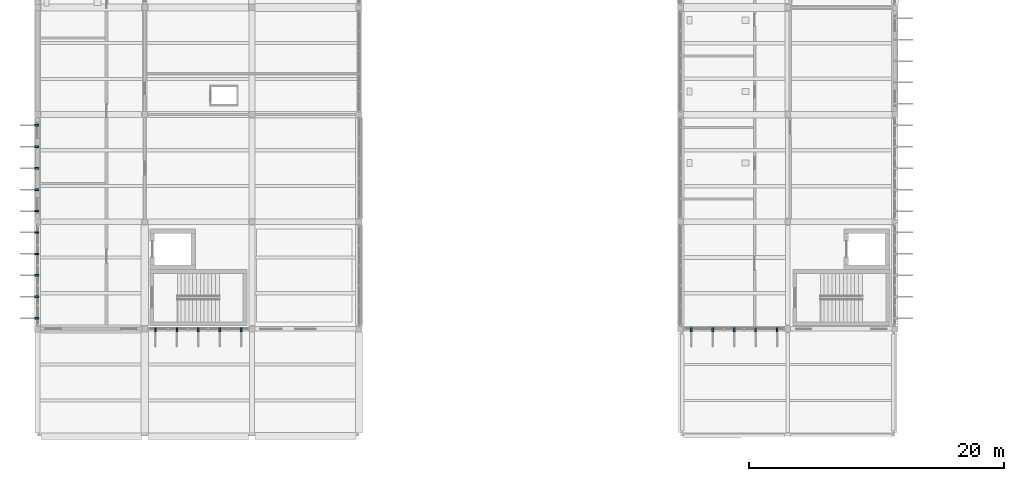
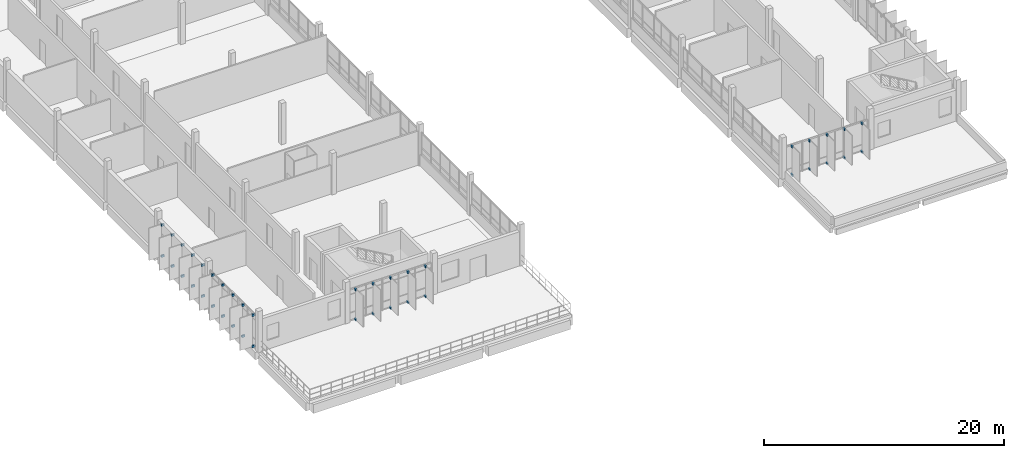
# One storey, part 56 of 62: 40 discrete accessories.
"""IFC4 building model written with IfcOpenShell, lengths in metres."""

from ifc_helpers import new_model, si_unit, direction, frame, origin, origin_2d, place, context, subcontext, project, spatial, rectangle, extrude, material, type_object, element, save


model = new_model("IFC4")

# Units and contexts
model_context = context("Model", 3, precision=1e-05, world=origin(), true_north=direction((0.0, 1.0)))
body_context = subcontext(model_context, "Body", "Model", "MODEL_VIEW")
ifc_project = project(units=[si_unit("LENGTHUNIT", "METRE"), si_unit("AREAUNIT", "SQUARE_METRE"), si_unit("VOLUMEUNIT", "CUBIC_METRE"), si_unit("PLANEANGLEUNIT", "RADIAN"), si_unit("MASSUNIT", "GRAM", prefix="KILO")], contexts=[model_context])

# Site, building, storey
site_placement = place(None, origin())
site = spatial("IfcSite", under=ifc_project, at=site_placement, CompositionType="ELEMENT")
building_placement = place(site_placement, origin())
building = spatial("IfcBuilding", under=site, at=building_placement, Name="Vireocrest Preparatory School", CompositionType="ELEMENT")
storey_placement = place(building_placement, frame((0.0, 0.0, 17.39990234375)))
storey = spatial("IfcBuildingStorey", under=building, at=storey_placement, Name="L04", CompositionType="ELEMENT", Elevation=17.39990234375)

# Discrete accessories
ifc_material = material(Name="Structural steel ASTM A572 Grade 50", Category="steel")
discrete_accessory_type = type_object("IfcDiscreteAccessoryType", Name="Slab-Edge Steel Outrigger Fin Bracket", PredefinedType="BRACKET", material=ifc_material)
for number, where, z_axis, x_axis, name in (
    (1, (41.929931640625, 44.639892578125, -0.08984375), (0.0, 0.0, 1.0), (0.0, 1.0, 0.0), "Solar Fin Outrigger Bracket BK1 L04-53-1-BOT"),
    (2, (41.929931640625, 44.639892578125, 3.0703125), (0.0, 0.0, 1.0), (0.0, 1.0, 0.0), "Solar Fin Outrigger Bracket BK1 L04-53-1-TOP"),
    (3, (41.929931640625, 46.320068359375, -0.08984375), (0.0, 0.0, 1.0), (0.0, 1.0, 0.0), "Solar Fin Outrigger Bracket BK1 L04-53-2-BOT"),
    (4, (41.929931640625, 46.320068359375, 3.0703125), (0.0, 0.0, 1.0), (0.0, 1.0, 0.0), "Solar Fin Outrigger Bracket BK1 L04-53-2-TOP"),
    (5, (41.929931640625, 48.0, -0.08984375), (0.0, 0.0, 1.0), (0.0, 1.0, 0.0), "Solar Fin Outrigger Bracket BK1 L04-53-3-BOT"),
    (6, (41.929931640625, 48.0, 3.0703125), (0.0, 0.0, 1.0), (0.0, 1.0, 0.0), "Solar Fin Outrigger Bracket BK1 L04-53-3-TOP"),
    (7, (41.929931640625, 49.679931640625, -0.08984375), (0.0, 0.0, 1.0), (0.0, 1.0, 0.0), "Solar Fin Outrigger Bracket BK1 L04-53-4-BOT"),
    (8, (41.929931640625, 49.679931640625, 3.0703125), (0.0, 0.0, 1.0), (0.0, 1.0, 0.0), "Solar Fin Outrigger Bracket BK1 L04-53-4-TOP"),
    (9, (41.929931640625, 51.360107421875, -0.08984375), (0.0, 0.0, 1.0), (0.0, 1.0, 0.0), "Solar Fin Outrigger Bracket BK1 L04-53-5-BOT"),
    (10, (41.929931640625, 51.360107421875, 3.0703125), (0.0, 0.0, 1.0), (0.0, 1.0, 0.0), "Solar Fin Outrigger Bracket BK1 L04-53-5-TOP"),
    (11, (41.929931640625, 53.0400390625, -0.08984375), (0.0, 0.0, 1.0), (0.0, 1.0, 0.0), "Solar Fin Outrigger Bracket BK1 L04-54-1-BOT"),
    (12, (41.929931640625, 53.0400390625, 3.0703125), (0.0, 0.0, 1.0), (0.0, 1.0, 0.0), "Solar Fin Outrigger Bracket BK1 L04-54-1-TOP"),
    (13, (41.929931640625, 54.719970703125, -0.08984375), (0.0, 0.0, 1.0), (0.0, 1.0, 0.0), "Solar Fin Outrigger Bracket BK1 L04-54-2-BOT"),
    (14, (41.929931640625, 54.719970703125, 3.0703125), (0.0, 0.0, 1.0), (0.0, 1.0, 0.0), "Solar Fin Outrigger Bracket BK1 L04-54-2-TOP"),
    (15, (41.929931640625, 56.39990234375, -0.08984375), (0.0, 0.0, 1.0), (0.0, 1.0, 0.0), "Solar Fin Outrigger Bracket BK1 L04-54-3-BOT"),
    (16, (41.929931640625, 56.39990234375, 3.0703125), (0.0, 0.0, 1.0), (0.0, 1.0, 0.0), "Solar Fin Outrigger Bracket BK1 L04-54-3-TOP"),
    (17, (41.929931640625, 58.080078125, -0.08984375), (0.0, 0.0, 1.0), (0.0, 1.0, 0.0), "Solar Fin Outrigger Bracket BK1 L04-54-4-BOT"),
    (18, (41.929931640625, 58.080078125, 3.0703125), (0.0, 0.0, 1.0), (0.0, 1.0, 0.0), "Solar Fin Outrigger Bracket BK1 L04-54-4-TOP"),
    (19, (41.929931640625, 59.760009765625, -0.08984375), (0.0, 0.0, 1.0), (0.0, 1.0, 0.0), "Solar Fin Outrigger Bracket BK1 L04-54-5-BOT"),
    (20, (41.929931640625, 59.760009765625, 3.0703125), (0.0, 0.0, 1.0), (0.0, 1.0, 0.0), "Solar Fin Outrigger Bracket BK1 L04-54-5-TOP"),
    (21, (51.239990234375, 43.72998046875, -0.08984375), (0.0, 0.0, 1.0), (-1.0, 0.0, 0.0), "Solar Fin Outrigger Bracket BK1 L04-55-1-BOT"),
    (22, (51.239990234375, 43.72998046875, 2.97021484375), (0.0, 0.0, 1.0), (-1.0, 0.0, 0.0), "Solar Fin Outrigger Bracket BK1 L04-55-1-TOP"),
    (23, (52.919921875, 43.72998046875, -0.08984375), (0.0, 0.0, 1.0), (-1.0, 0.0, 0.0), "Solar Fin Outrigger Bracket BK1 L04-55-2-BOT"),
    (24, (52.919921875, 43.72998046875, 2.97021484375), (0.0, 0.0, 1.0), (-1.0, 0.0, 0.0), "Solar Fin Outrigger Bracket BK1 L04-55-2-TOP"),
    (25, (54.60009765625, 43.72998046875, -0.08984375), (0.0, 0.0, 1.0), (-1.0, 0.0, 0.0), "Solar Fin Outrigger Bracket BK1 L04-55-3-BOT"),
    (26, (54.60009765625, 43.72998046875, 2.97021484375), (0.0, 0.0, 1.0), (-1.0, 0.0, 0.0), "Solar Fin Outrigger Bracket BK1 L04-55-3-TOP"),
    (27, (56.280029296875, 43.72998046875, -0.08984375), (0.0, 0.0, 1.0), (-1.0, 0.0, 0.0), "Solar Fin Outrigger Bracket BK1 L04-55-4-BOT"),
    (28, (56.280029296875, 43.72998046875, 2.97021484375), (0.0, 0.0, 1.0), (-1.0, 0.0, 0.0), "Solar Fin Outrigger Bracket BK1 L04-55-4-TOP"),
    (29, (57.9599609375, 43.72998046875, -0.08984375), (0.0, 0.0, 1.0), (-1.0, 0.0, 0.0), "Solar Fin Outrigger Bracket BK1 L04-55-5-BOT"),
    (30, (57.9599609375, 43.72998046875, 2.97021484375), (0.0, 0.0, 1.0), (-1.0, 0.0, 0.0), "Solar Fin Outrigger Bracket BK1 L04-55-5-TOP"),
    (31, (93.239990234375, 43.72998046875, -0.08984375), (0.0, 0.0, 1.0), (-1.0, 0.0, 0.0), "Solar Fin Outrigger Bracket BK1 L04-56-1-BOT"),
    (32, (93.239990234375, 43.72998046875, 2.81005859375), (0.0, 0.0, 1.0), (-1.0, 0.0, 0.0), "Solar Fin Outrigger Bracket BK1 L04-56-1-TOP"),
    (33, (94.919921875, 43.72998046875, -0.08984375), (0.0, 0.0, 1.0), (-1.0, 0.0, 0.0), "Solar Fin Outrigger Bracket BK1 L04-56-2-BOT"),
    (34, (94.919921875, 43.72998046875, 2.81005859375), (0.0, 0.0, 1.0), (-1.0, 0.0, 0.0), "Solar Fin Outrigger Bracket BK1 L04-56-2-TOP"),
    (35, (96.60009765625, 43.72998046875, -0.08984375), (0.0, 0.0, 1.0), (-1.0, 0.0, 0.0), "Solar Fin Outrigger Bracket BK1 L04-56-3-BOT"),
    (36, (96.60009765625, 43.72998046875, 2.81005859375), (0.0, 0.0, 1.0), (-1.0, 0.0, 0.0), "Solar Fin Outrigger Bracket BK1 L04-56-3-TOP"),
    (37, (98.280029296875, 43.72998046875, -0.08984375), (0.0, 0.0, 1.0), (-1.0, 0.0, 0.0), "Solar Fin Outrigger Bracket BK1 L04-56-4-BOT"),
    (38, (98.280029296875, 43.72998046875, 2.81005859375), (0.0, 0.0, 1.0), (-1.0, 0.0, 0.0), "Solar Fin Outrigger Bracket BK1 L04-56-4-TOP"),
    (39, (99.9599609375, 43.72998046875, -0.08984375), (0.0, 0.0, 1.0), (-1.0, 0.0, 0.0), "Solar Fin Outrigger Bracket BK1 L04-56-5-BOT"),
    (40, (99.9599609375, 43.72998046875, 2.81005859375), (0.0, 0.0, 1.0), (-1.0, 0.0, 0.0), "Solar Fin Outrigger Bracket BK1 L04-56-5-TOP"),
):
    element("IfcDiscreteAccessory", number, at=place(storey_placement, frame(where, z_axis=z_axis, x_axis=x_axis)), inside=storey, type_object=discrete_accessory_type, Name=name, PredefinedType="BRACKET", context=body_context, shape_type="SweptSolid", body=[
        extrude(rectangle(XDim=0.139892578125, YDim=0.300048828125, at=origin_2d()), origin(), (0.0, 0.0, 1.0), 0.219970703125),
    ])

save(model, "model.ifc")
